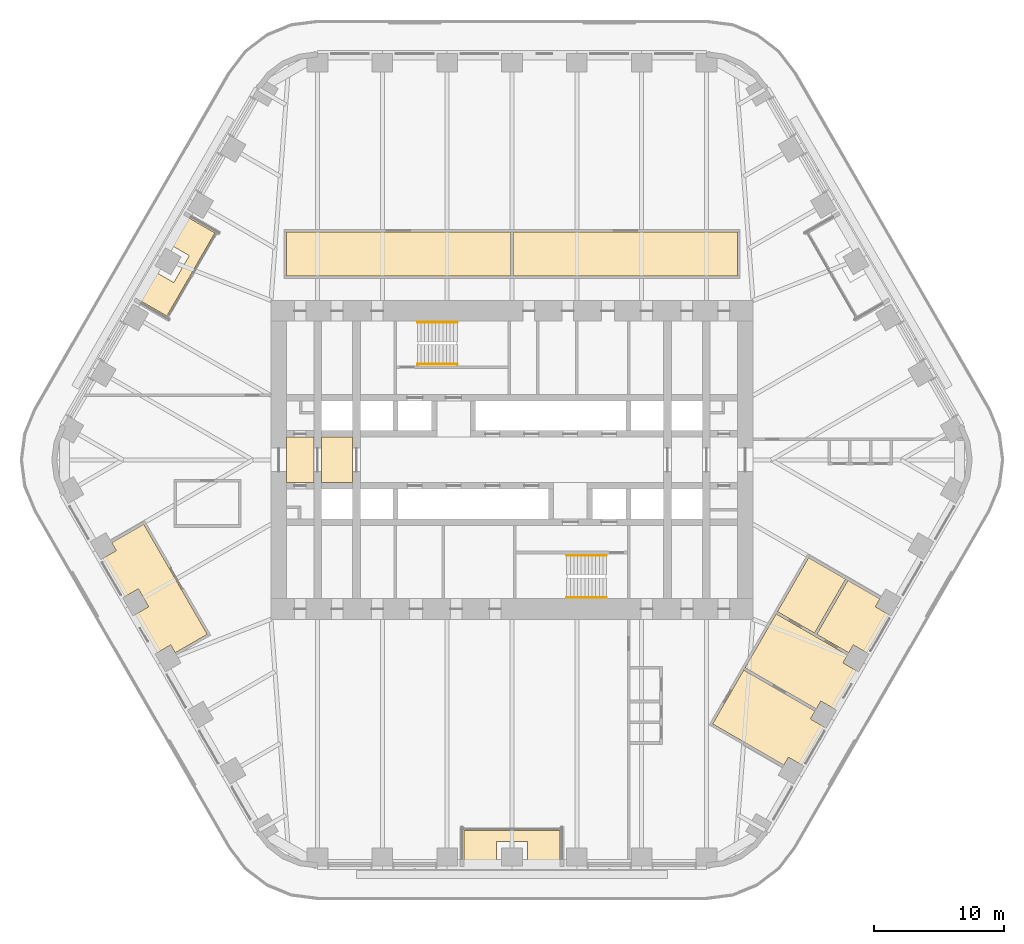
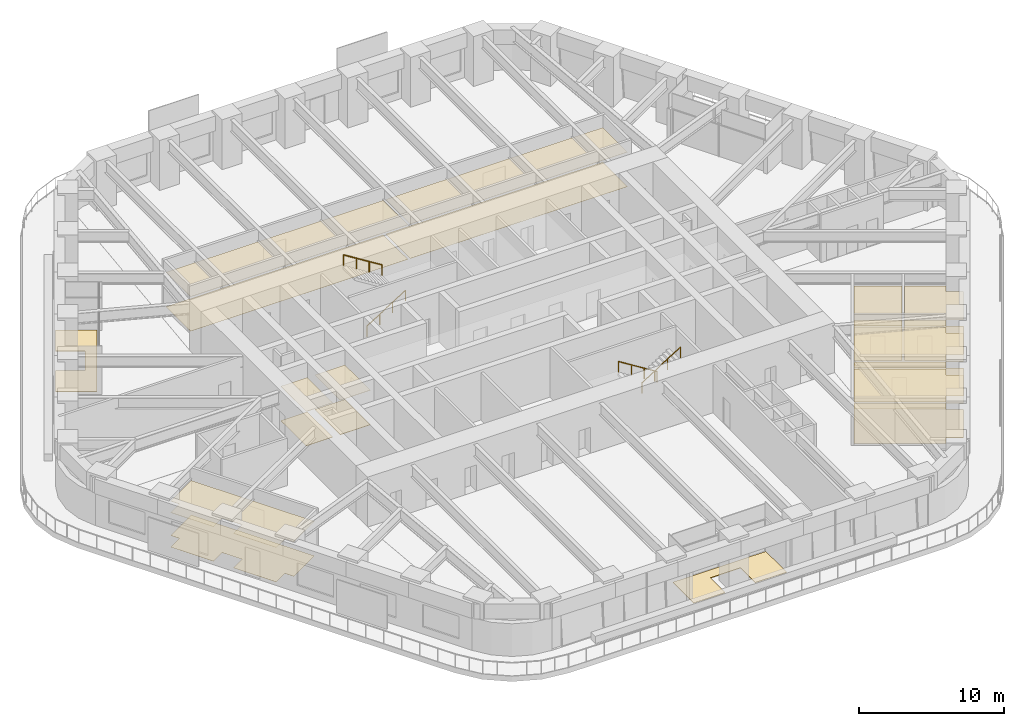
# One storey, part 22 of 24: 8 coverings, 4 railings.
"""IFC4 building model written with IfcOpenShell, lengths in metres."""

from ifc_helpers import new_model, si_unit, direction, frame, origin, origin_2d, place, context, subcontext, project, spatial, polyline, circle, outline, extrude, material, layer, layer_set, type_object, element, save


model = new_model("IFC4")

# Units and contexts
model_context = context("Model", 3, precision=1e-05, world=origin(), true_north=direction((0.0, 1.0)))
body_context = subcontext(model_context, "Body", "Model", "MODEL_VIEW")
ifc_project = project(units=[si_unit("LENGTHUNIT", "METRE"), si_unit("AREAUNIT", "SQUARE_METRE"), si_unit("VOLUMEUNIT", "CUBIC_METRE"), si_unit("PLANEANGLEUNIT", "RADIAN"), si_unit("MASSUNIT", "GRAM", prefix="KILO")], contexts=[model_context])

# Site, building, storey
site_placement = place(None, origin())
site = spatial("IfcSite", under=ifc_project, at=site_placement, CompositionType="ELEMENT")
building_placement = place(site_placement, origin())
building = spatial("IfcBuilding", under=site, at=building_placement, Name="Tarfa Lantern Tower", CompositionType="ELEMENT")
storey_placement = place(building_placement, frame((0.0, 0.0, 169.89990234375)))
storey = spatial("IfcBuildingStorey", under=building, at=storey_placement, Name="L38", CompositionType="ELEMENT", Elevation=169.89990234375)

# Coverings
ifc_material_1 = material(Name="Mineral fibre acoustic tile on suspension grid", Category="finish")
ifc_layer_1 = layer(ifc_material_1, 0.02001953125)
ifc_layer_set_1 = layer_set([ifc_layer_1], Name="CL1 ACOUSTIC TILE CEILING 20")
covering_type_1 = type_object("IfcCoveringType", Name="CL1 ACOUSTIC TILE CEILING 20", PredefinedType="CEILING", material=ifc_layer_set_1)
covering_1_placement = place(storey_placement, frame((0.0, 0.0, 2.900146484375)))
element("IfcCovering", 1, at=covering_1_placement, inside=storey, type_object=covering_type_1, Name="Ceiling L38 CL1", PredefinedType="CEILING", context=body_context, shape_type="SweptSolid", body=[
    extrude(outline(polyline([(-17.39990234375, 17.60009765625), (-0.10009765625, 17.60009765625), (-0.10009765625, 14.199951171875), (-17.39990234375, 14.199951171875), (-17.39990234375, 17.60009765625)])), origin(), (0.0, 0.0, 1.0), 0.02001953125),
    extrude(outline(polyline([(0.10009765625, 17.60009765625), (17.39990234375, 17.60009765625), (17.39990234375, 14.199951171875), (0.10009765625, 14.199951171875), (0.10009765625, 17.60009765625)])), origin(), (0.0, 0.0, 1.0), 0.02001953125),
    extrude(outline(polyline([(17.88623046875, -16.219970703125), (23.385498046875, -19.39501953125), (23.03564453125, -20.001220703125), (24.074951171875, -20.60107421875), (22.373046875, -23.548828125), (21.333740234375, -22.94873046875), (20.983642578125, -23.55517578125), (15.484375, -20.380126953125), (17.88623046875, -16.219970703125)])), origin(), (0.0, 0.0, 1.0), 0.02001953125),
    extrude(outline(polyline([(20.38818359375, -11.88671875), (25.887451171875, -15.0615234375), (25.537353515625, -15.667724609375), (26.57666015625, -16.267822265625), (24.874755859375, -19.215576171875), (23.835693359375, -18.615478515625), (23.485595703125, -19.2216796875), (17.986328125, -16.046630859375), (20.38818359375, -11.88671875)])), origin(), (0.0, 0.0, 1.0), 0.02001953125),
    extrude(outline(polyline([(25.921142578125, -9.30322265625), (28.389404296875, -10.728271484375), (28.039306640625, -11.33447265625), (29.07861328125, -11.9345703125), (27.376708984375, -14.882080078125), (26.33740234375, -14.2822265625), (25.987548828125, -14.888427734375), (23.519287109375, -13.46337890625), (25.921142578125, -9.30322265625)])), origin(), (0.0, 0.0, 1.0), 0.02001953125),
    extrude(outline(polyline([(22.89013671875, -7.55322265625), (25.748046875, -9.203369140625), (23.34619140625, -13.36328125), (20.48828125, -11.71337890625), (22.89013671875, -7.55322265625)])), origin(), (0.0, 0.0, 1.0), 0.02001953125),
    extrude(outline(polyline([(-23.519287109375, -13.46337890625), (-25.987548828125, -14.888427734375), (-26.33740234375, -14.2822265625), (-27.376708984375, -14.882080078125), (-29.07861328125, -11.9345703125), (-28.039306640625, -11.33447265625), (-28.83935546875, -9.94873046875), (-29.878662109375, -10.548828125), (-31.580322265625, -7.60107421875), (-30.541259765625, -7.001220703125), (-30.89111328125, -6.39501953125), (-28.423095703125, -4.969970703125), (-23.519287109375, -13.46337890625)])), origin(), (0.0, 0.0, 1.0), 0.02001953125),
])
ifc_material_2 = material(Name="Powder-coated aluminium panel", Category="aluminium")
ifc_layer_2 = layer(ifc_material_2, 0.030029296875)
ifc_layer_set_2 = layer_set([ifc_layer_2], Name="CL3 METAL PANEL CEILING 30")
covering_type_2 = type_object("IfcCoveringType", Name="CL3 METAL PANEL CEILING 30", PredefinedType="CEILING", material=ifc_layer_set_2)
covering_2_placement = place(storey_placement, frame((0.0, 0.0, 2.900146484375)))
element("IfcCovering", 2, at=covering_2_placement, inside=storey, type_object=covering_type_2, Name="Ceiling L38-01", PredefinedType="CEILING", context=body_context, shape_type="SweptSolid", body=[
    extrude(outline(polyline([(-17.39990234375, -1.75), (-15.300048828125, -1.75), (-15.300048828125, 1.75), (-17.39990234375, 1.75), (-17.39990234375, -1.75)])), origin(), (0.0, 0.0, 1.0), 0.030029296875),
])
covering_3_placement = place(storey_placement, frame((0.0, 0.0, 2.900146484375)))
element("IfcCovering", 3, at=covering_3_placement, inside=storey, type_object=covering_type_2, Name="Ceiling L38-02", PredefinedType="CEILING", context=body_context, shape_type="SweptSolid", body=[
    extrude(outline(polyline([(-14.699951171875, -1.75), (-12.300048828125, -1.75), (-12.300048828125, 1.75), (-14.699951171875, 1.75), (-14.699951171875, -1.75)])), origin(), (0.0, 0.0, 1.0), 0.030029296875),
])
ifc_material_3 = material(Name="Nylon carpet tile", Category="finish")
ifc_layer_3 = layer(ifc_material_3, 0.010009765625)
ifc_layer_set_3 = layer_set([ifc_layer_3], Name="FL1 CARPET TILE 10")
covering_type_3 = type_object("IfcCoveringType", Name="FL1 CARPET TILE 10", PredefinedType="FLOORING", material=ifc_layer_set_3)
covering_4_placement = place(storey_placement, origin())
element("IfcCovering", 4, at=covering_4_placement, inside=storey, type_object=covering_type_3, Name="Floor finish L38 FL1", PredefinedType="FLOORING", context=body_context, shape_type="SweptSolid", body=[
    extrude(outline(polyline([(-17.39990234375, 17.60009765625), (-0.10009765625, 17.60009765625), (-0.10009765625, 14.199951171875), (-17.39990234375, 14.199951171875), (-17.39990234375, 17.60009765625)])), origin(), (0.0, 0.0, 1.0), 0.010009765625),
    extrude(outline(polyline([(0.10009765625, 17.60009765625), (17.39990234375, 17.60009765625), (17.39990234375, 14.199951171875), (0.10009765625, 14.199951171875), (0.10009765625, 17.60009765625)])), origin(), (0.0, 0.0, 1.0), 0.010009765625),
    extrude(outline(polyline([(17.88623046875, -16.219970703125), (23.385498046875, -19.39501953125), (23.03564453125, -20.001220703125), (24.074951171875, -20.60107421875), (22.373046875, -23.548828125), (21.333740234375, -22.94873046875), (20.983642578125, -23.55517578125), (15.484375, -20.380126953125), (17.88623046875, -16.219970703125)])), origin(), (0.0, 0.0, 1.0), 0.010009765625),
    extrude(outline(polyline([(20.38818359375, -11.88671875), (25.887451171875, -15.0615234375), (25.537353515625, -15.667724609375), (26.57666015625, -16.267822265625), (24.874755859375, -19.215576171875), (23.835693359375, -18.615478515625), (23.485595703125, -19.2216796875), (17.986328125, -16.046630859375), (20.38818359375, -11.88671875)])), origin(), (0.0, 0.0, 1.0), 0.010009765625),
    extrude(outline(polyline([(25.921142578125, -9.30322265625), (28.389404296875, -10.728271484375), (28.039306640625, -11.33447265625), (29.07861328125, -11.9345703125), (27.376708984375, -14.882080078125), (26.33740234375, -14.2822265625), (25.987548828125, -14.888427734375), (23.519287109375, -13.46337890625), (25.921142578125, -9.30322265625)])), origin(), (0.0, 0.0, 1.0), 0.010009765625),
    extrude(outline(polyline([(22.89013671875, -7.55322265625), (25.748046875, -9.203369140625), (23.34619140625, -13.36328125), (20.48828125, -11.71337890625), (22.89013671875, -7.55322265625)])), origin(), (0.0, 0.0, 1.0), 0.010009765625),
    extrude(outline(polyline([(-23.519287109375, -13.46337890625), (-25.987548828125, -14.888427734375), (-26.33740234375, -14.2822265625), (-27.376708984375, -14.882080078125), (-29.07861328125, -11.9345703125), (-28.039306640625, -11.33447265625), (-28.83935546875, -9.94873046875), (-29.878662109375, -10.548828125), (-31.580322265625, -7.60107421875), (-30.541259765625, -7.001220703125), (-30.89111328125, -6.39501953125), (-28.423095703125, -4.969970703125), (-23.519287109375, -13.46337890625)])), origin(), (0.0, 0.0, 1.0), 0.010009765625),
])
ifc_material_4 = material(Name="Honed limestone flooring", Category="masonry")
ifc_layer_4 = layer(ifc_material_4, 0.030029296875)
ifc_layer_set_4 = layer_set([ifc_layer_4], Name="FL2 STONE FLOORING 30")
covering_type_4 = type_object("IfcCoveringType", Name="FL2 STONE FLOORING 30", PredefinedType="FLOORING", material=ifc_layer_set_4)
covering_5_placement = place(storey_placement, origin())
element("IfcCovering", 5, at=covering_5_placement, inside=storey, type_object=covering_type_4, Name="Floor finish L38-01", PredefinedType="FLOORING", context=body_context, shape_type="SweptSolid", body=[
    extrude(outline(polyline([(-17.39990234375, -1.75), (-15.300048828125, -1.75), (-15.300048828125, 1.75), (-17.39990234375, 1.75), (-17.39990234375, -1.75)])), origin(), (0.0, 0.0, 1.0), 0.030029296875),
])
covering_6_placement = place(storey_placement, origin())
element("IfcCovering", 6, at=covering_6_placement, inside=storey, type_object=covering_type_4, Name="Floor finish L38-02", PredefinedType="FLOORING", context=body_context, shape_type="SweptSolid", body=[
    extrude(outline(polyline([(-14.699951171875, -1.75), (-12.300048828125, -1.75), (-12.300048828125, 1.75), (-14.699951171875, 1.75), (-14.699951171875, -1.75)])), origin(), (0.0, 0.0, 1.0), 0.030029296875),
])

# Railings
ifc_material_5 = material(Name="Stainless steel", Category="steel")
railing_type = type_object("IfcRailingType", Name="HR1 HANDRAIL 900", PredefinedType="HANDRAIL", material=ifc_material_5)
railing_1_placement = place(storey_placement, frame((-7.300048828125, 7.3798828125, 0.175048828125)))
element("IfcRailing", 7, at=railing_1_placement, inside=storey, type_object=railing_type, Name="Handrail 1", PredefinedType="HANDRAIL", context=body_context, shape_type="SweptSolid", body=[
    extrude(circle(Radius=0.02392578125, at=origin_2d()), frame((0.0, 0.0, 0.8759765625), z_axis=(0.847998304005, 0.0, 0.529998940003), x_axis=(0.0, 1.0, 0.0)), (0.0, 0.0, 1.0), 3.632080078125),
    extrude(circle(Radius=0.02099609375, at=origin_2d()), frame((0.0, 0.0, 0.0), z_axis=(0.0, 0.0, 1.0), x_axis=(0.0, 1.0, 0.0)), (0.0, 0.0, 1.0), 0.851806640625),
    extrude(circle(Radius=0.02099609375, at=origin_2d()), frame((1.026611328125, 0.0, 0.6416015625), z_axis=(0.0, 0.0, 1.0), x_axis=(0.0, 1.0, 0.0)), (0.0, 0.0, 1.0), 0.851806640625),
    extrude(circle(Radius=0.02099609375, at=origin_2d()), frame((2.053466796875, 0.0, 1.283447265625), z_axis=(0.0, 0.0, 1.0), x_axis=(0.0, 1.0, 0.0)), (0.0, 0.0, 1.0), 0.851806640625),
    extrude(circle(Radius=0.02099609375, at=origin_2d()), frame((3.080078125, 0.0, 1.925048828125), z_axis=(0.0, 0.0, 1.0), x_axis=(0.0, 1.0, 0.0)), (0.0, 0.0, 1.0), 0.851806640625),
])
for number, where, name in (
    (8, (-4.219970703125, 10.6201171875, 2.275146484375), "Handrail 2"),
    (9, (7.300048828125, -7.3798828125, 0.175048828125), "Handrail 1"),
):
    element("IfcRailing", number, at=place(storey_placement, frame(where)), inside=storey, type_object=railing_type, Name=name, PredefinedType="HANDRAIL", context=body_context, shape_type="SweptSolid", body=[
        extrude(circle(Radius=0.02392578125, at=origin_2d()), frame((0.0, 0.0, 0.8759765625), z_axis=(-0.847998304005, 0.0, 0.529998940003), x_axis=(0.0, -1.0, 0.0)), (0.0, 0.0, 1.0), 3.632080078125),
        extrude(circle(Radius=0.02099609375, at=origin_2d()), frame((0.0, 0.0, 0.0), z_axis=(0.0, 0.0, 1.0), x_axis=(0.0, -1.0, 0.0)), (0.0, 0.0, 1.0), 0.851806640625),
        extrude(circle(Radius=0.02099609375, at=origin_2d()), frame((-1.026611328125, 0.0, 0.6416015625), z_axis=(0.0, 0.0, 1.0), x_axis=(0.0, -1.0, 0.0)), (0.0, 0.0, 1.0), 0.851806640625),
        extrude(circle(Radius=0.02099609375, at=origin_2d()), frame((-2.053466796875, 0.0, 1.283447265625), z_axis=(0.0, 0.0, 1.0), x_axis=(0.0, -1.0, 0.0)), (0.0, 0.0, 1.0), 0.851806640625),
        extrude(circle(Radius=0.02099609375, at=origin_2d()), frame((-3.080078125, 0.0, 1.925048828125), z_axis=(0.0, 0.0, 1.0), x_axis=(0.0, -1.0, 0.0)), (0.0, 0.0, 1.0), 0.851806640625),
    ])
railing_2_placement = place(storey_placement, frame((4.219970703125, -10.6201171875, 2.275146484375)))
element("IfcRailing", 10, at=railing_2_placement, inside=storey, type_object=railing_type, Name="Handrail 2", PredefinedType="HANDRAIL", context=body_context, shape_type="SweptSolid", body=[
    extrude(circle(Radius=0.02392578125, at=origin_2d()), frame((0.0, 0.0, 0.8759765625), z_axis=(0.847998304005, 0.0, 0.529998940003), x_axis=(0.0, 1.0, 0.0)), (0.0, 0.0, 1.0), 3.632080078125),
    extrude(circle(Radius=0.02099609375, at=origin_2d()), frame((0.0, 0.0, 0.0), z_axis=(0.0, 0.0, 1.0), x_axis=(0.0, 1.0, 0.0)), (0.0, 0.0, 1.0), 0.851806640625),
    extrude(circle(Radius=0.02099609375, at=origin_2d()), frame((1.026611328125, 0.0, 0.6416015625), z_axis=(0.0, 0.0, 1.0), x_axis=(0.0, 1.0, 0.0)), (0.0, 0.0, 1.0), 0.851806640625),
    extrude(circle(Radius=0.02099609375, at=origin_2d()), frame((2.053466796875, 0.0, 1.283447265625), z_axis=(0.0, 0.0, 1.0), x_axis=(0.0, 1.0, 0.0)), (0.0, 0.0, 1.0), 0.851806640625),
    extrude(circle(Radius=0.02099609375, at=origin_2d()), frame((3.080078125, 0.0, 1.925048828125), z_axis=(0.0, 0.0, 1.0), x_axis=(0.0, 1.0, 0.0)), (0.0, 0.0, 1.0), 0.851806640625),
])

# Coverings
ifc_material_6 = material(Name="Porcelain pavers on pedestals", Category="ceramic")
ifc_layer_5 = layer(ifc_material_6, 0.0400390625)
ifc_layer_set_5 = layer_set([ifc_layer_5], Name="LP1 LOGGIA PAVING 40")
covering_type_5 = type_object("IfcCoveringType", Name="LP1 LOGGIA PAVING 40", PredefinedType="FLOORING", material=ifc_layer_set_5)
covering_7_placement = place(storey_placement, origin())
element("IfcCovering", 11, at=covering_7_placement, inside=storey, type_object=covering_type_5, Name="Loggia paving NW", PredefinedType="FLOORING", context=body_context, shape_type="SweptSolid", body=[
    extrude(outline(polyline([(-25.427978515625, 18.95751953125), (-22.933837890625, 17.517578125), (-26.637451171875, 11.1025390625), (-29.131591796875, 12.54248046875), (-27.8798828125, 14.710693359375), (-26.1044921875, 13.685791015625), (-24.904541015625, 15.76416015625), (-26.6796875, 16.789306640625), (-25.427978515625, 18.95751953125)])), origin(), (0.0, 0.0, 1.0), 0.0400390625),
])
covering_8_placement = place(storey_placement, origin())
element("IfcCovering", 12, at=covering_8_placement, inside=storey, type_object=covering_type_5, Name="Loggia paving S", PredefinedType="FLOORING", context=body_context, shape_type="SweptSolid", body=[
    extrude(outline(polyline([(-3.70361328125, -31.5), (-3.70361328125, -28.6201171875), (3.70361328125, -28.6201171875), (3.70361328125, -31.5), (1.199951171875, -31.5), (1.199951171875, -29.449951171875), (-1.199951171875, -29.449951171875), (-1.199951171875, -31.5), (-3.70361328125, -31.5)])), origin(), (0.0, 0.0, 1.0), 0.0400390625),
])

save(model, "model.ifc")
